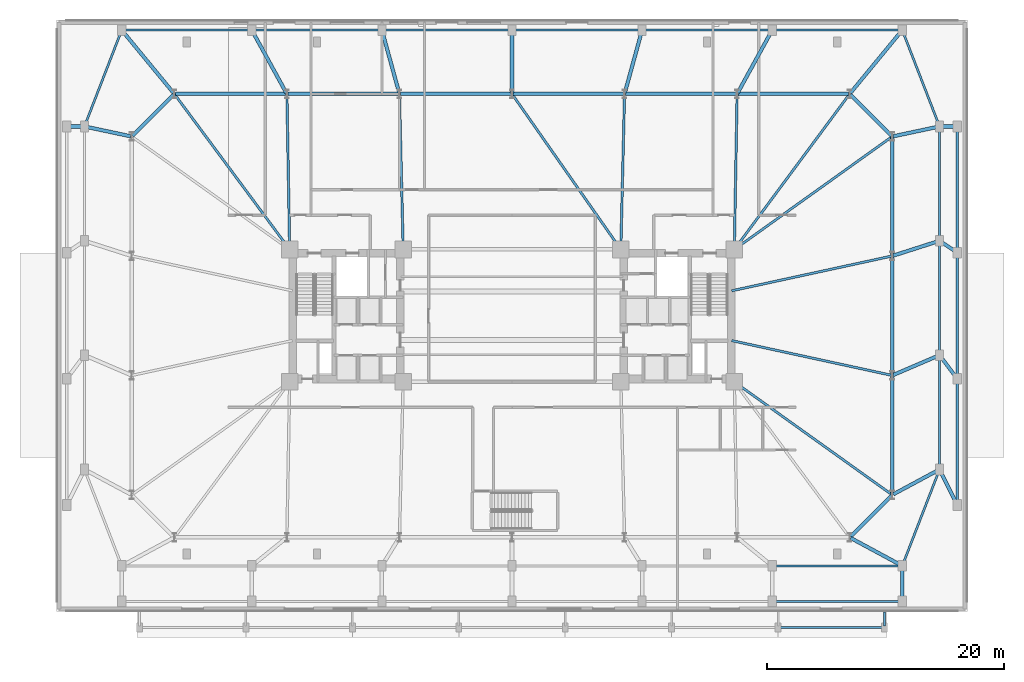
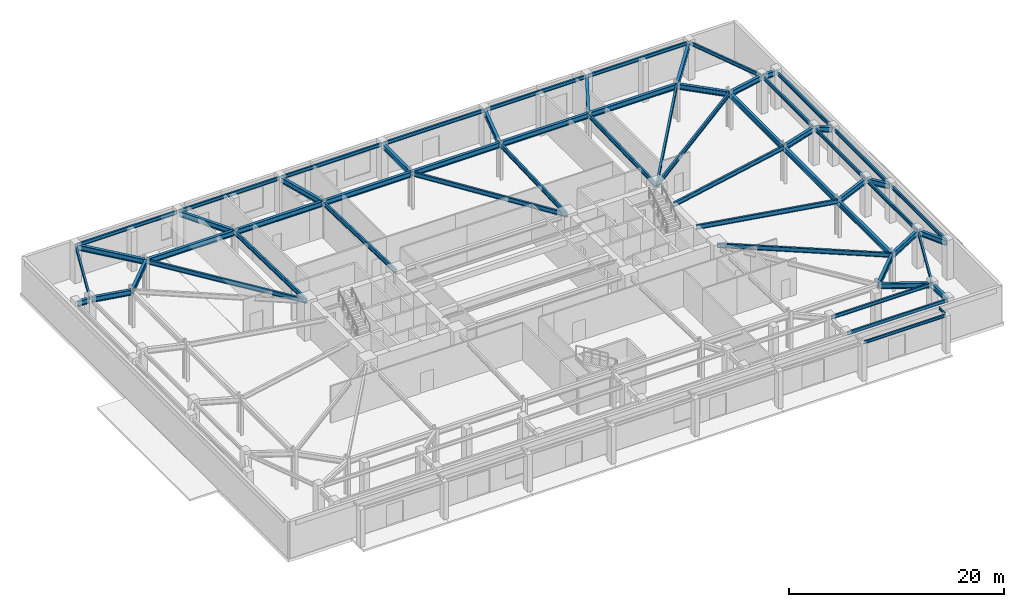
# One storey, part 6 of 18: 61 beams.
"""IFC4 building model written with IfcOpenShell, lengths in metres."""

from ifc_helpers import new_model, si_unit, direction, frame, origin, origin_2d, place, context, subcontext, project, spatial, i_section, extrude, material, material_profile, profile_set, type_object, element, save


model = new_model("IFC4")

# Units and contexts
model_context = context("Model", 3, precision=1e-05, world=origin(), true_north=direction((0.0, 1.0)))
body_context = subcontext(model_context, "Body", "Model", "MODEL_VIEW")
ifc_project = project(units=[si_unit("LENGTHUNIT", "METRE"), si_unit("AREAUNIT", "SQUARE_METRE"), si_unit("VOLUMEUNIT", "CUBIC_METRE"), si_unit("PLANEANGLEUNIT", "RADIAN"), si_unit("MASSUNIT", "GRAM", prefix="KILO")], contexts=[model_context])

# Site, building, storey
site_placement = place(None, origin())
site = spatial("IfcSite", under=ifc_project, at=site_placement, CompositionType="ELEMENT")
building_placement = place(site_placement, origin())
building = spatial("IfcBuilding", under=site, at=building_placement, Name="Qobustan Lattice House", CompositionType="ELEMENT")
storey_placement = place(building_placement, origin())
storey = spatial("IfcBuildingStorey", under=building, at=storey_placement, Name="L00", CompositionType="ELEMENT", Elevation=0.0)

# Beams
ifc_material_1 = material(Name="Steel S355", Category="steel")
ifc_material_profile_1 = material_profile(ifc_material_1, i_section(OverallWidth=0.199951171875, OverallDepth=0.5, WebThickness=0.01025390625, FlangeThickness=0.01611328125, FilletRadius=0.02099609375, at=origin_2d()), Name="IPE500")
ifc_profile_set_1 = profile_set([ifc_material_profile_1], Name="Steel S355")
beam_type_1 = type_object("IfcBeamType", Name="BM-FLG-IPE500", PredefinedType="USERDEFINED", material=ifc_profile_set_1)
beam_1_placement = place(storey_placement, frame((-28.53515625, 18.72998046875, 3.919921875), z_axis=(0.5955916815, -0.803287338956, 0.0), x_axis=(0.803287338956, 0.5955916815, 0.0)))
element("IfcBeam", 1, at=beam_1_placement, inside=storey, type_object=beam_type_1, Name="L00 primary floor girder RAD-N7W", ObjectType="GIRDER", PredefinedType="USERDEFINED", context=body_context, shape_type="SweptSolid", body=[
    extrude(i_section(OverallWidth=0.199951171875, OverallDepth=0.5, WebThickness=0.01025390625, FlangeThickness=0.01611328125, FilletRadius=0.02099609375, at=origin_2d()), origin(), (0.0, 0.0, 1.0), 16.3203125),
])
beam_2_placement = place(storey_placement, frame((-19.032958984375, 18.72509765625, 3.919921875), z_axis=(0.017757831607, -0.999842317276, 0.0), x_axis=(0.999842317276, 0.017757831607, 0.0)))
element("IfcBeam", 2, at=beam_2_placement, inside=storey, type_object=beam_type_1, Name="L00 primary floor girder RAD-N6", ObjectType="GIRDER", PredefinedType="USERDEFINED", context=body_context, shape_type="SweptSolid", body=[
    extrude(i_section(OverallWidth=0.199951171875, OverallDepth=0.5, WebThickness=0.01025390625, FlangeThickness=0.01611328125, FilletRadius=0.02099609375, at=origin_2d()), origin(), (0.0, 0.0, 1.0), 13.10205078125),
])
beam_3_placement = place(storey_placement, frame((-9.51611328125, 18.72509765625, 3.919921875), z_axis=(0.024071445657, -0.999710240772, 0.0), x_axis=(0.999710240772, 0.024071445657, 0.0)))
element("IfcBeam", 3, at=beam_3_placement, inside=storey, type_object=beam_type_1, Name="L00 primary floor girder RAD-N5", ObjectType="GIRDER", PredefinedType="USERDEFINED", context=body_context, shape_type="SweptSolid", body=[
    extrude(i_section(OverallWidth=0.199951171875, OverallDepth=0.5, WebThickness=0.01025390625, FlangeThickness=0.01611328125, FilletRadius=0.02099609375, at=origin_2d()), origin(), (0.0, 0.0, 1.0), 13.10400390625),
])
beam_4_placement = place(storey_placement, frame((0.014404296875, 18.7294921875, 3.919921875), z_axis=(0.57325954206, -0.819373844736, 0.0), x_axis=(0.819373844736, 0.57325954206, 0.0)))
element("IfcBeam", 4, at=beam_4_placement, inside=storey, type_object=beam_type_1, Name="L00 primary floor girder RAD-N4", ObjectType="GIRDER", PredefinedType="USERDEFINED", context=body_context, shape_type="SweptSolid", body=[
    extrude(i_section(OverallWidth=0.199951171875, OverallDepth=0.5, WebThickness=0.01025390625, FlangeThickness=0.01611328125, FilletRadius=0.02099609375, at=origin_2d()), origin(), (0.0, 0.0, 1.0), 15.998779296875),
])
beam_5_placement = place(storey_placement, frame((9.51611328125, 18.72509765625, 3.919921875), z_axis=(-0.024071445657, -0.999710240772, 0.0), x_axis=(0.999710240772, -0.024071445657, 0.0)))
element("IfcBeam", 5, at=beam_5_placement, inside=storey, type_object=beam_type_1, Name="L00 primary floor girder RAD-N3", ObjectType="GIRDER", PredefinedType="USERDEFINED", context=body_context, shape_type="SweptSolid", body=[
    extrude(i_section(OverallWidth=0.199951171875, OverallDepth=0.5, WebThickness=0.01025390625, FlangeThickness=0.01611328125, FilletRadius=0.02099609375, at=origin_2d()), origin(), (0.0, 0.0, 1.0), 13.10400390625),
])
beam_6_placement = place(storey_placement, frame((19.032958984375, 18.72509765625, 3.919921875), z_axis=(-0.017757831607, -0.999842317276, 0.0), x_axis=(0.999842317276, -0.017757831607, 0.0)))
element("IfcBeam", 6, at=beam_6_placement, inside=storey, type_object=beam_type_1, Name="L00 primary floor girder RAD-N2", ObjectType="GIRDER", PredefinedType="USERDEFINED", context=body_context, shape_type="SweptSolid", body=[
    extrude(i_section(OverallWidth=0.199951171875, OverallDepth=0.5, WebThickness=0.01025390625, FlangeThickness=0.01611328125, FilletRadius=0.02099609375, at=origin_2d()), origin(), (0.0, 0.0, 1.0), 13.10205078125),
])
beam_7_placement = place(storey_placement, frame((28.53515625, 18.72998046875, 3.919921875), z_axis=(-0.5955916815, -0.803287338956, 0.0), x_axis=(0.803287338956, -0.5955916815, 0.0)))
element("IfcBeam", 7, at=beam_7_placement, inside=storey, type_object=beam_type_1, Name="L00 primary floor girder RAD-N1E", ObjectType="GIRDER", PredefinedType="USERDEFINED", context=body_context, shape_type="SweptSolid", body=[
    extrude(i_section(OverallWidth=0.199951171875, OverallDepth=0.5, WebThickness=0.01025390625, FlangeThickness=0.01611328125, FilletRadius=0.02099609375, at=origin_2d()), origin(), (0.0, 0.0, 1.0), 16.3203125),
])
beam_8_placement = place(storey_placement, frame((32.129638671875, 15.135498046875, 3.919921875), z_axis=(-0.813318954893, -0.581818079481, 0.0), x_axis=(0.581818079481, -0.813318954893, 0.0)))
element("IfcBeam", 8, at=beam_8_placement, inside=storey, type_object=beam_type_1, Name="L00 primary floor girder RAD-E4", ObjectType="GIRDER", PredefinedType="USERDEFINED", context=body_context, shape_type="SweptSolid", body=[
    extrude(i_section(OverallWidth=0.199951171875, OverallDepth=0.5, WebThickness=0.01025390625, FlangeThickness=0.01611328125, FilletRadius=0.02099609375, at=origin_2d()), origin(), (0.0, 0.0, 1.0), 16.3642578125),
])
for number, where, z_axis, x_axis, name in (
    (9, (32.12548828125, 5.044677734375, 3.919921875), (-0.97727240275, -0.211987383643, 0.0), (0.211987383643, -0.97727240275, 0.0), "L00 primary floor girder RAD-E3"),
    (10, (32.12548828125, -5.044677734375, 3.919921875), (-0.97727240275, 0.211987383643, 0.0), (-0.211987383643, -0.97727240275, 0.0), "L00 primary floor girder RAD-E2"),
):
    element("IfcBeam", number, at=place(storey_placement, frame(where, z_axis=z_axis, x_axis=x_axis)), inside=storey, type_object=beam_type_1, Name=name, ObjectType="GIRDER", PredefinedType="USERDEFINED", context=body_context, shape_type="SweptSolid", body=[
        extrude(i_section(OverallWidth=0.199951171875, OverallDepth=0.5, WebThickness=0.01025390625, FlangeThickness=0.01611328125, FilletRadius=0.02099609375, at=origin_2d()), origin(), (0.0, 0.0, 1.0), 13.8662109375),
    ])
beam_9_placement = place(storey_placement, frame((32.129638671875, -15.135498046875, 3.919921875), z_axis=(-0.813318954893, 0.581818079481, 0.0), x_axis=(-0.581818079481, -0.813318954893, 0.0)))
element("IfcBeam", 11, at=beam_9_placement, inside=storey, type_object=beam_type_1, Name="L00 primary floor girder RAD-E1", ObjectType="GIRDER", PredefinedType="USERDEFINED", context=body_context, shape_type="SweptSolid", body=[
    extrude(i_section(OverallWidth=0.199951171875, OverallDepth=0.5, WebThickness=0.01025390625, FlangeThickness=0.01611328125, FilletRadius=0.02099609375, at=origin_2d()), origin(), (0.0, 0.0, 1.0), 16.3642578125),
])
ifc_material_2 = material(Name="Steel S355", Category="steel")
ifc_material_profile_2 = material_profile(ifc_material_2, i_section(OverallWidth=0.135009765625, OverallDepth=0.27001953125, WebThickness=0.006591796875, FlangeThickness=0.01025390625, FilletRadius=0.014892578125, at=origin_2d()), Name="IPE270")
ifc_profile_set_2 = profile_set([ifc_material_profile_2], Name="Steel S355")
beam_type_2 = type_object("IfcBeamType", Name="BM-JST-IPE270", PredefinedType="JOIST", material=ifc_profile_set_2)
beam_10_placement = place(storey_placement, frame((31.5, -26.25, 4.125), z_axis=(0.0, 1.0, 0.0), x_axis=(-1.0, 0.0, 0.0)))
element("IfcBeam", 12, at=beam_10_placement, inside=storey, type_object=beam_type_2, Name="L00 colonnade transverse beam 8", PredefinedType="JOIST", context=body_context, shape_type="SweptSolid", body=[
    extrude(i_section(OverallWidth=0.135009765625, OverallDepth=0.27001953125, WebThickness=0.006591796875, FlangeThickness=0.01025390625, FilletRadius=0.014892578125, at=origin_2d()), origin(), (0.0, 0.0, 1.0), 1.2099609375),
])
ifc_material_3 = material(Name="Steel S355", Category="steel")
ifc_material_profile_3 = material_profile(ifc_material_3, i_section(OverallWidth=0.300048828125, OverallDepth=0.60009765625, WebThickness=0.015380859375, FlangeThickness=0.030029296875, FilletRadius=0.027099609375, at=origin_2d()), Name="HEB600")
ifc_profile_set_3 = profile_set([ifc_material_profile_3], Name="Steel S355")
beam_type_3 = type_object("IfcBeamType", Name="BM-POD-HEB600", PredefinedType="USERDEFINED", material=ifc_profile_set_3)
beam_11_placement = place(storey_placement, frame((33.0, -24.030029296875, 3.8701171875), z_axis=(0.0, 1.0, 0.0), x_axis=(-1.0, 0.0, 0.0)))
element("IfcBeam", 13, at=beam_11_placement, inside=storey, type_object=beam_type_3, Name="L00 south terrace tie girder 7", ObjectType="GIRDER", PredefinedType="USERDEFINED", context=body_context, shape_type="SweptSolid", body=[
    extrude(i_section(OverallWidth=0.300048828125, OverallDepth=0.60009765625, WebThickness=0.015380859375, FlangeThickness=0.030029296875, FilletRadius=0.027099609375, at=origin_2d()), origin(), (0.0, 0.0, 1.0), 2.760009765625),
])
beam_12_placement = place(storey_placement, frame((37.59619140625, -15.892578125, 3.8701171875), z_axis=(-0.4472135955, 0.894427191, 0.0), x_axis=(-0.894427191, -0.4472135955, 0.0)))
element("IfcBeam", 14, at=beam_12_placement, inside=storey, type_object=beam_type_3, Name="L00 setback tie girder PEL1", ObjectType="GIRDER", PredefinedType="USERDEFINED", context=body_context, shape_type="SweptSolid", body=[
    extrude(i_section(OverallWidth=0.300048828125, OverallDepth=0.60009765625, WebThickness=0.015380859375, FlangeThickness=0.030029296875, FilletRadius=0.027099609375, at=origin_2d()), origin(), (0.0, 0.0, 1.0), 3.114013671875),
])
beam_13_placement = place(storey_placement, frame((37.577880859375, -5.2373046875, 3.8701171875), z_axis=(-0.599965431752, 0.800025925019, 0.0), x_axis=(-0.800025925019, -0.599965431752, 0.0)))
element("IfcBeam", 15, at=beam_13_placement, inside=storey, type_object=beam_type_3, Name="L00 setback tie girder PEL2", ObjectType="GIRDER", PredefinedType="USERDEFINED", context=body_context, shape_type="SweptSolid", body=[
    extrude(i_section(OverallWidth=0.300048828125, OverallDepth=0.60009765625, WebThickness=0.015380859375, FlangeThickness=0.030029296875, FilletRadius=0.027099609375, at=origin_2d()), origin(), (0.0, 0.0, 1.0), 2.260009765625),
])
beam_14_placement = place(storey_placement, frame((37.55029296875, 5.39990234375, 3.8701171875), z_axis=(-0.832074324237, 0.554664149684, 0.0), x_axis=(-0.554664149684, -0.832074324237, 0.0)))
element("IfcBeam", 16, at=beam_14_placement, inside=storey, type_object=beam_type_3, Name="L00 setback tie girder PEL3", ObjectType="GIRDER", PredefinedType="USERDEFINED", context=body_context, shape_type="SweptSolid", body=[
    extrude(i_section(OverallWidth=0.300048828125, OverallDepth=0.60009765625, WebThickness=0.015380859375, FlangeThickness=0.030029296875, FilletRadius=0.027099609375, at=origin_2d()), origin(), (0.0, 0.0, 1.0), 1.56298828125),
])
for number, where, z_axis, x_axis, name in (
    (17, (-37.530029296875, 16.0, 3.8701171875), (1.0, 0.0, 0.0), (0.0, 1.0, 0.0), "L00 setback tie girder PWL4"),
    (18, (37.530029296875, 16.0, 3.8701171875), (-1.0, 0.0, 0.0), (0.0, -1.0, 0.0), "L00 setback tie girder PEL4"),
):
    element("IfcBeam", number, at=place(storey_placement, frame(where, z_axis=z_axis, x_axis=x_axis)), inside=storey, type_object=beam_type_3, Name=name, ObjectType="GIRDER", PredefinedType="USERDEFINED", context=body_context, shape_type="SweptSolid", body=[
        extrude(i_section(OverallWidth=0.300048828125, OverallDepth=0.60009765625, WebThickness=0.015380859375, FlangeThickness=0.030029296875, FilletRadius=0.027099609375, at=origin_2d()), origin(), (0.0, 0.0, 1.0), 1.260009765625),
    ])
beam_15_placement = place(storey_placement, frame((28.62060546875, -18.67919921875, 3.8701171875), z_axis=(0.70713173775, 0.707081823743, 0.0), x_axis=(-0.707081823743, 0.70713173775, 0.0)))
element("IfcBeam", 19, at=beam_15_placement, inside=storey, type_object=beam_type_3, Name="L00 tower base ring girder S7-E1", ObjectType="GIRDER", PredefinedType="USERDEFINED", context=body_context, shape_type="SweptSolid", body=[
    extrude(i_section(OverallWidth=0.300048828125, OverallDepth=0.60009765625, WebThickness=0.015380859375, FlangeThickness=0.030029296875, FilletRadius=0.027099609375, at=origin_2d()), origin(), (0.0, 0.0, 1.0), 4.89111328125),
])
beam_16_placement = place(storey_placement, frame((32.14990234375, -15.050048828125, 3.8701171875), z_axis=(0.0, 1.0, 0.0), x_axis=(-1.0, 0.0, 0.0)))
element("IfcBeam", 20, at=beam_16_placement, inside=storey, type_object=beam_type_3, Name="L00 tower base ring girder E1-E2", ObjectType="GIRDER", PredefinedType="USERDEFINED", context=body_context, shape_type="SweptSolid", body=[
    extrude(i_section(OverallWidth=0.300048828125, OverallDepth=0.60009765625, WebThickness=0.015380859375, FlangeThickness=0.030029296875, FilletRadius=0.027099609375, at=origin_2d()), origin(), (0.0, 0.0, 1.0), 9.900146484375),
])
beam_17_placement = place(storey_placement, frame((32.14990234375, -4.949951171875, 3.8701171875), z_axis=(0.0, 1.0, 0.0), x_axis=(-1.0, 0.0, 0.0)))
element("IfcBeam", 21, at=beam_17_placement, inside=storey, type_object=beam_type_3, Name="L00 tower base ring girder E2-E3", ObjectType="GIRDER", PredefinedType="USERDEFINED", context=body_context, shape_type="SweptSolid", body=[
    extrude(i_section(OverallWidth=0.300048828125, OverallDepth=0.60009765625, WebThickness=0.015380859375, FlangeThickness=0.030029296875, FilletRadius=0.027099609375, at=origin_2d()), origin(), (0.0, 0.0, 1.0), 9.89990234375),
])
beam_18_placement = place(storey_placement, frame((32.14990234375, 5.14990234375, 3.8701171875), z_axis=(0.0, 1.0, 0.0), x_axis=(-1.0, 0.0, 0.0)))
element("IfcBeam", 22, at=beam_18_placement, inside=storey, type_object=beam_type_3, Name="L00 tower base ring girder E3-E4", ObjectType="GIRDER", PredefinedType="USERDEFINED", context=body_context, shape_type="SweptSolid", body=[
    extrude(i_section(OverallWidth=0.300048828125, OverallDepth=0.60009765625, WebThickness=0.015380859375, FlangeThickness=0.030029296875, FilletRadius=0.027099609375, at=origin_2d()), origin(), (0.0, 0.0, 1.0), 9.900146484375),
])
beam_19_placement = place(storey_placement, frame((32.079345703125, 15.220703125, 3.8701171875), z_axis=(-0.70713173775, 0.707081823743, 0.0), x_axis=(-0.707081823743, -0.70713173775, 0.0)))
element("IfcBeam", 23, at=beam_19_placement, inside=storey, type_object=beam_type_3, Name="L00 tower base ring girder E4-N1", ObjectType="GIRDER", PredefinedType="USERDEFINED", context=body_context, shape_type="SweptSolid", body=[
    extrude(i_section(OverallWidth=0.300048828125, OverallDepth=0.60009765625, WebThickness=0.015380859375, FlangeThickness=0.030029296875, FilletRadius=0.027099609375, at=origin_2d()), origin(), (0.0, 0.0, 1.0), 4.89111328125),
])
for number, where, z_axis, x_axis, name in (
    (24, (28.449951171875, 18.75, 3.8701171875), (-1.0, 0.0, 0.0), (0.0, -1.0, 0.0), "L00 tower base ring girder N1-N2"),
    (25, (18.933349609375, 18.75, 3.8701171875), (-1.0, 0.0, 0.0), (0.0, -1.0, 0.0), "L00 tower base ring girder N2-N3"),
    (26, (9.416748046875, 18.75, 3.8701171875), (-1.0, 0.0, 0.0), (0.0, -1.0, 0.0), "L00 tower base ring girder N3-N4"),
    (27, (-0.10009765625, 18.75, 3.8701171875), (-1.0, 0.0, 0.0), (0.0, -1.0, 0.0), "L00 tower base ring girder N4-N5"),
    (28, (-9.61669921875, 18.75, 3.8701171875), (-1.0, 0.0, 0.0), (0.0, -1.0, 0.0), "L00 tower base ring girder N5-N6"),
    (29, (-19.13330078125, 18.75, 3.8701171875), (-1.0, 0.0, 0.0), (0.0, -1.0, 0.0), "L00 tower base ring girder N6-N7"),
):
    element("IfcBeam", number, at=place(storey_placement, frame(where, z_axis=z_axis, x_axis=x_axis)), inside=storey, type_object=beam_type_3, Name=name, ObjectType="GIRDER", PredefinedType="USERDEFINED", context=body_context, shape_type="SweptSolid", body=[
        extrude(i_section(OverallWidth=0.300048828125, OverallDepth=0.60009765625, WebThickness=0.015380859375, FlangeThickness=0.030029296875, FilletRadius=0.027099609375, at=origin_2d()), origin(), (0.0, 0.0, 1.0), 9.316650390625),
    ])
beam_20_placement = place(storey_placement, frame((-28.62060546875, 18.67919921875, 3.8701171875), z_axis=(-0.70713173775, -0.707081823743, 0.0), x_axis=(0.707081823743, -0.70713173775, 0.0)))
element("IfcBeam", 30, at=beam_20_placement, inside=storey, type_object=beam_type_3, Name="L00 tower base ring girder N7-W1", ObjectType="GIRDER", PredefinedType="USERDEFINED", context=body_context, shape_type="SweptSolid", body=[
    extrude(i_section(OverallWidth=0.300048828125, OverallDepth=0.60009765625, WebThickness=0.015380859375, FlangeThickness=0.030029296875, FilletRadius=0.027099609375, at=origin_2d()), origin(), (0.0, 0.0, 1.0), 4.89111328125),
])
beam_21_placement = place(storey_placement, frame((-32.923583984375, 24.057373046875, 3.8701171875), z_axis=(0.635954703728, -0.771726385973, 0.0), x_axis=(0.771726385973, 0.635954703728, 0.0)))
element("IfcBeam", 31, at=beam_21_placement, inside=storey, type_object=beam_type_3, Name="L00 podium radial girder PN1", ObjectType="GIRDER", PredefinedType="USERDEFINED", context=body_context, shape_type="SweptSolid", body=[
    extrude(i_section(OverallWidth=0.300048828125, OverallDepth=0.60009765625, WebThickness=0.015380859375, FlangeThickness=0.030029296875, FilletRadius=0.027099609375, at=origin_2d()), origin(), (0.0, 0.0, 1.0), 6.77734375),
])
beam_22_placement = place(storey_placement, frame((-21.942138671875, 24.044921875, 3.8701171875), z_axis=(0.481478583255, -0.876457856298, 0.0), x_axis=(0.876457856298, 0.481478583255, 0.0)))
element("IfcBeam", 32, at=beam_22_placement, inside=storey, type_object=beam_type_3, Name="L00 podium radial girder PN2", ObjectType="GIRDER", PredefinedType="USERDEFINED", context=body_context, shape_type="SweptSolid", body=[
    extrude(i_section(OverallWidth=0.300048828125, OverallDepth=0.60009765625, WebThickness=0.015380859375, FlangeThickness=0.030029296875, FilletRadius=0.027099609375, at=origin_2d()), origin(), (0.0, 0.0, 1.0), 5.941162109375),
])
beam_23_placement = place(storey_placement, frame((-10.96826171875, 24.0341796875, 3.8701171875), z_axis=(0.264883295611, -0.964280477717, 0.0), x_axis=(0.964280477717, 0.264883295611, 0.0)))
element("IfcBeam", 33, at=beam_23_placement, inside=storey, type_object=beam_type_3, Name="L00 podium radial girder PN3", ObjectType="GIRDER", PredefinedType="USERDEFINED", context=body_context, shape_type="SweptSolid", body=[
    extrude(i_section(OverallWidth=0.300048828125, OverallDepth=0.60009765625, WebThickness=0.015380859375, FlangeThickness=0.030029296875, FilletRadius=0.027099609375, at=origin_2d()), origin(), (0.0, 0.0, 1.0), 5.3798828125),
])
beam_24_placement = place(storey_placement, frame((0.0, 24.030029296875, 3.8701171875), z_axis=(0.0, -1.0, 0.0), x_axis=(1.0, 0.0, 0.0)))
element("IfcBeam", 34, at=beam_24_placement, inside=storey, type_object=beam_type_3, Name="L00 podium radial girder PN4", ObjectType="GIRDER", PredefinedType="USERDEFINED", context=body_context, shape_type="SweptSolid", body=[
    extrude(i_section(OverallWidth=0.300048828125, OverallDepth=0.60009765625, WebThickness=0.015380859375, FlangeThickness=0.030029296875, FilletRadius=0.027099609375, at=origin_2d()), origin(), (0.0, 0.0, 1.0), 5.179931640625),
])
beam_25_placement = place(storey_placement, frame((10.96826171875, 24.0341796875, 3.8701171875), z_axis=(-0.264883295611, -0.964280477717, 0.0), x_axis=(0.964280477717, -0.264883295611, 0.0)))
element("IfcBeam", 35, at=beam_25_placement, inside=storey, type_object=beam_type_3, Name="L00 podium radial girder PN5", ObjectType="GIRDER", PredefinedType="USERDEFINED", context=body_context, shape_type="SweptSolid", body=[
    extrude(i_section(OverallWidth=0.300048828125, OverallDepth=0.60009765625, WebThickness=0.015380859375, FlangeThickness=0.030029296875, FilletRadius=0.027099609375, at=origin_2d()), origin(), (0.0, 0.0, 1.0), 5.3798828125),
])
beam_26_placement = place(storey_placement, frame((21.942138671875, 24.044921875, 3.8701171875), z_axis=(-0.481478583255, -0.876457856298, 0.0), x_axis=(0.876457856298, -0.481478583255, 0.0)))
element("IfcBeam", 36, at=beam_26_placement, inside=storey, type_object=beam_type_3, Name="L00 podium radial girder PN6", ObjectType="GIRDER", PredefinedType="USERDEFINED", context=body_context, shape_type="SweptSolid", body=[
    extrude(i_section(OverallWidth=0.300048828125, OverallDepth=0.60009765625, WebThickness=0.015380859375, FlangeThickness=0.030029296875, FilletRadius=0.027099609375, at=origin_2d()), origin(), (0.0, 0.0, 1.0), 5.941162109375),
])
beam_27_placement = place(storey_placement, frame((32.894287109375, -21.093017578125, 3.8701171875), z_axis=(-0.88016615165, 0.474665719732, 0.0), x_axis=(-0.474665719732, -0.88016615165, 0.0)))
element("IfcBeam", 37, at=beam_27_placement, inside=storey, type_object=beam_type_3, Name="L00 podium radial girder PS7", ObjectType="GIRDER", PredefinedType="USERDEFINED", context=body_context, shape_type="SweptSolid", body=[
    extrude(i_section(OverallWidth=0.300048828125, OverallDepth=0.60009765625, WebThickness=0.015380859375, FlangeThickness=0.030029296875, FilletRadius=0.027099609375, at=origin_2d()), origin(), (0.0, 0.0, 1.0), 4.8359375),
])
beam_28_placement = place(storey_placement, frame((32.923583984375, 24.057373046875, 3.8701171875), z_axis=(-0.635954703728, -0.771726385973, 0.0), x_axis=(0.771726385973, -0.635954703728, 0.0)))
element("IfcBeam", 38, at=beam_28_placement, inside=storey, type_object=beam_type_3, Name="L00 podium radial girder PN7", ObjectType="GIRDER", PredefinedType="USERDEFINED", context=body_context, shape_type="SweptSolid", body=[
    extrude(i_section(OverallWidth=0.300048828125, OverallDepth=0.60009765625, WebThickness=0.015380859375, FlangeThickness=0.030029296875, FilletRadius=0.027099609375, at=origin_2d()), origin(), (0.0, 0.0, 1.0), 6.77734375),
])
beam_29_placement = place(storey_placement, frame((36.044189453125, -13.056884765625, 3.8701171875), z_axis=(-0.880815561441, -0.473459551307, 0.0), x_axis=(0.473459551307, -0.880815561441, 0.0)))
element("IfcBeam", 39, at=beam_29_placement, inside=storey, type_object=beam_type_3, Name="L00 podium radial girder PE1", ObjectType="GIRDER", PredefinedType="USERDEFINED", context=body_context, shape_type="SweptSolid", body=[
    extrude(i_section(OverallWidth=0.300048828125, OverallDepth=0.60009765625, WebThickness=0.015380859375, FlangeThickness=0.030029296875, FilletRadius=0.027099609375, at=origin_2d()), origin(), (0.0, 0.0, 1.0), 4.3212890625),
])
beam_30_placement = place(storey_placement, frame((36.039794921875, -3.380615234375, 3.8701171875), z_axis=(-0.918949362679, -0.394375542893, 0.0), x_axis=(0.394375542893, -0.918949362679, 0.0)))
element("IfcBeam", 40, at=beam_30_placement, inside=storey, type_object=beam_type_3, Name="L00 podium radial girder PE2", ObjectType="GIRDER", PredefinedType="USERDEFINED", context=body_context, shape_type="SweptSolid", body=[
    extrude(i_section(OverallWidth=0.300048828125, OverallDepth=0.60009765625, WebThickness=0.015380859375, FlangeThickness=0.030029296875, FilletRadius=0.027099609375, at=origin_2d()), origin(), (0.0, 0.0, 1.0), 4.1328125),
])
beam_31_placement = place(storey_placement, frame((36.03564453125, 6.296630859375, 3.8701171875), z_axis=(-0.952198151545, -0.305481063561, 0.0), x_axis=(0.305481063561, -0.952198151545, 0.0)))
element("IfcBeam", 41, at=beam_31_placement, inside=storey, type_object=beam_type_3, Name="L00 podium radial girder PE3", ObjectType="GIRDER", PredefinedType="USERDEFINED", context=body_context, shape_type="SweptSolid", body=[
    extrude(i_section(OverallWidth=0.300048828125, OverallDepth=0.60009765625, WebThickness=0.015380859375, FlangeThickness=0.030029296875, FilletRadius=0.027099609375, at=origin_2d()), origin(), (0.0, 0.0, 1.0), 3.980712890625),
])
for number, where, z_axis, x_axis, name in (
    (42, (-36.03271484375, 15.97509765625, 3.8701171875), (0.978163821655, -0.207835362738, 0.0), (0.207835362738, 0.978163821655, 0.0), "L00 podium radial girder PW4"),
    (43, (36.03271484375, 15.97509765625, 3.8701171875), (-0.978163821655, -0.207835362738, 0.0), (0.207835362738, -0.978163821655, 0.0), "L00 podium radial girder PE4"),
):
    element("IfcBeam", number, at=place(storey_placement, frame(where, z_axis=z_axis, x_axis=x_axis)), inside=storey, type_object=beam_type_3, Name=name, ObjectType="GIRDER", PredefinedType="USERDEFINED", context=body_context, shape_type="SweptSolid", body=[
        extrude(i_section(OverallWidth=0.300048828125, OverallDepth=0.60009765625, WebThickness=0.015380859375, FlangeThickness=0.030029296875, FilletRadius=0.027099609375, at=origin_2d()), origin(), (0.0, 0.0, 1.0), 3.869384765625),
    ])
ifc_material_4 = material(Name="Steel S355", Category="steel")
ifc_material_profile_4 = material_profile(ifc_material_4, i_section(OverallWidth=0.159912109375, OverallDepth=0.330078125, WebThickness=0.007568359375, FlangeThickness=0.011474609375, FilletRadius=0.01806640625, at=origin_2d()), Name="IPE330")
ifc_profile_set_4 = profile_set([ifc_material_profile_4], Name="Steel S355")
beam_type_4 = type_object("IfcBeamType", Name="BM-SPD-IPE330", PredefinedType="SPANDREL", material=ifc_profile_set_4)
beam_32_placement = place(storey_placement, frame((22.6201171875, -26.35009765625, 4.094970703125), z_axis=(1.0, 0.0, 0.0), x_axis=(0.0, 1.0, 0.0)))
element("IfcBeam", 44, at=beam_32_placement, inside=storey, type_object=beam_type_4, Name="L00 colonnade edge beam 7", PredefinedType="SPANDREL", context=body_context, shape_type="SweptSolid", body=[
    extrude(i_section(OverallWidth=0.159912109375, OverallDepth=0.330078125, WebThickness=0.007568359375, FlangeThickness=0.011474609375, FilletRadius=0.01806640625, at=origin_2d()), origin(), (0.0, 0.0, 1.0), 8.759765625),
])
ifc_material_5 = material(Name="Steel S355", Category="steel")
ifc_material_profile_5 = material_profile(ifc_material_5, i_section(OverallWidth=0.179931640625, OverallDepth=0.39990234375, WebThickness=0.008544921875, FlangeThickness=0.013427734375, FilletRadius=0.02099609375, at=origin_2d()), Name="IPE400")
ifc_profile_set_5 = profile_set([ifc_material_profile_5], Name="Steel S355")
beam_type_5 = type_object("IfcBeamType", Name="BM-SPD-IPE400", PredefinedType="SPANDREL", material=ifc_profile_set_5)
for number, where, z_axis, x_axis, name in (
    (45, (22.1201171875, -21.14990234375, 3.969970703125), (1.0, 0.0, 0.0), (0.0, 1.0, 0.0), "L00 podium spandrel PS6-PS7"),
    (46, (-32.8798828125, 24.14990234375, 3.969970703125), (1.0, 0.0, 0.0), (0.0, 1.0, 0.0), "L00 podium spandrel PN1-PN2"),
    (47, (-21.8798828125, 24.14990234375, 3.969970703125), (1.0, 0.0, 0.0), (0.0, 1.0, 0.0), "L00 podium spandrel PN2-PN3"),
    (48, (-10.8798828125, 24.14990234375, 3.969970703125), (1.0, 0.0, 0.0), (0.0, 1.0, 0.0), "L00 podium spandrel PN3-PN4"),
    (49, (0.1201171875, 24.14990234375, 3.969970703125), (1.0, 0.0, 0.0), (0.0, 1.0, 0.0), "L00 podium spandrel PN4-PN5"),
    (50, (11.1201171875, 24.14990234375, 3.969970703125), (1.0, 0.0, 0.0), (0.0, 1.0, 0.0), "L00 podium spandrel PN5-PN6"),
    (51, (22.1201171875, 24.14990234375, 3.969970703125), (1.0, 0.0, 0.0), (0.0, 1.0, 0.0), "L00 podium spandrel PN6-PN7"),
):
    element("IfcBeam", number, at=place(storey_placement, frame(where, z_axis=z_axis, x_axis=x_axis)), inside=storey, type_object=beam_type_5, Name=name, PredefinedType="SPANDREL", context=body_context, shape_type="SweptSolid", body=[
        extrude(i_section(OverallWidth=0.179931640625, OverallDepth=0.39990234375, WebThickness=0.008544921875, FlangeThickness=0.013427734375, FilletRadius=0.02099609375, at=origin_2d()), origin(), (0.0, 0.0, 1.0), 10.759765625),
    ])
beam_33_placement = place(storey_placement, frame((36.14990234375, -12.8798828125, 3.969970703125), z_axis=(0.0, 1.0, 0.0), x_axis=(-1.0, 0.0, 0.0)))
element("IfcBeam", 52, at=beam_33_placement, inside=storey, type_object=beam_type_5, Name="L00 podium spandrel PE1-PE2", PredefinedType="SPANDREL", context=body_context, shape_type="SweptSolid", body=[
    extrude(i_section(OverallWidth=0.179931640625, OverallDepth=0.39990234375, WebThickness=0.008544921875, FlangeThickness=0.013427734375, FilletRadius=0.02099609375, at=origin_2d()), origin(), (0.0, 0.0, 1.0), 9.426513671875),
])
for number, where, z_axis, x_axis, name in (
    (53, (36.14990234375, -3.21337890625, 3.969970703125), (0.0, 1.0, 0.0), (-1.0, 0.0, 0.0), "L00 podium spandrel PE2-PE3"),
    (54, (36.14990234375, 6.453369140625, 3.969970703125), (0.0, 1.0, 0.0), (-1.0, 0.0, 0.0), "L00 podium spandrel PE3-PE4"),
):
    element("IfcBeam", number, at=place(storey_placement, frame(where, z_axis=z_axis, x_axis=x_axis)), inside=storey, type_object=beam_type_5, Name=name, PredefinedType="SPANDREL", context=body_context, shape_type="SweptSolid", body=[
        extrude(i_section(OverallWidth=0.179931640625, OverallDepth=0.39990234375, WebThickness=0.008544921875, FlangeThickness=0.013427734375, FilletRadius=0.02099609375, at=origin_2d()), origin(), (0.0, 0.0, 1.0), 9.4267578125),
    ])
for number, where, z_axis, x_axis, name in (
    (55, (-36.106689453125, 16.112060546875, 3.969970703125), (0.360516886299, 0.932752686779, 0.0), (-0.932752686779, 0.360516886299, 0.0), "L00 podium corner tie PW4-PN1"),
    (56, (33.043212890625, 24.0380859375, 3.969970703125), (0.360516886299, -0.932752686779, 0.0), (0.932752686779, 0.360516886299, 0.0), "L00 podium corner tie PN7-PE4"),
):
    element("IfcBeam", number, at=place(storey_placement, frame(where, z_axis=z_axis, x_axis=x_axis)), inside=storey, type_object=beam_type_5, Name=name, PredefinedType="SPANDREL", context=body_context, shape_type="SweptSolid", body=[
        extrude(i_section(OverallWidth=0.179931640625, OverallDepth=0.39990234375, WebThickness=0.008544921875, FlangeThickness=0.013427734375, FilletRadius=0.02099609375, at=origin_2d()), origin(), (0.0, 0.0, 1.0), 8.49755859375),
    ])
beam_34_placement = place(storey_placement, frame((36.106689453125, -13.11181640625, 3.969970703125), z_axis=(-0.360507225068, -0.93275642087, 0.0), x_axis=(0.93275642087, -0.360507225068, 0.0)))
element("IfcBeam", 57, at=beam_34_placement, inside=storey, type_object=beam_type_5, Name="L00 podium corner tie PE1-PS7", PredefinedType="SPANDREL", context=body_context, shape_type="SweptSolid", body=[
    extrude(i_section(OverallWidth=0.179931640625, OverallDepth=0.39990234375, WebThickness=0.008544921875, FlangeThickness=0.013427734375, FilletRadius=0.02099609375, at=origin_2d()), origin(), (0.0, 0.0, 1.0), 8.497802734375),
])
beam_35_placement = place(storey_placement, frame((22.1201171875, -24.14990234375, 3.969970703125), z_axis=(1.0, 0.0, 0.0), x_axis=(0.0, 1.0, 0.0)))
element("IfcBeam", 58, at=beam_35_placement, inside=storey, type_object=beam_type_5, Name="L00 lower podium spandrel PSL6-PSL7", PredefinedType="SPANDREL", context=body_context, shape_type="SweptSolid", body=[
    extrude(i_section(OverallWidth=0.179931640625, OverallDepth=0.39990234375, WebThickness=0.008544921875, FlangeThickness=0.013427734375, FilletRadius=0.02099609375, at=origin_2d()), origin(), (0.0, 0.0, 1.0), 10.759765625),
])
beam_36_placement = place(storey_placement, frame((37.64990234375, -15.8798828125, 3.969970703125), z_axis=(0.0, 1.0, 0.0), x_axis=(-1.0, 0.0, 0.0)))
element("IfcBeam", 59, at=beam_36_placement, inside=storey, type_object=beam_type_5, Name="L00 lower podium spandrel PEL1-PEL2", PredefinedType="SPANDREL", context=body_context, shape_type="SweptSolid", body=[
    extrude(i_section(OverallWidth=0.179931640625, OverallDepth=0.39990234375, WebThickness=0.008544921875, FlangeThickness=0.013427734375, FilletRadius=0.02099609375, at=origin_2d()), origin(), (0.0, 0.0, 1.0), 10.426513671875),
])
for number, where, z_axis, x_axis, name in (
    (60, (37.64990234375, -5.21337890625, 3.969970703125), (0.0, 1.0, 0.0), (-1.0, 0.0, 0.0), "L00 lower podium spandrel PEL2-PEL3"),
    (61, (37.64990234375, 5.453369140625, 3.969970703125), (0.0, 1.0, 0.0), (-1.0, 0.0, 0.0), "L00 lower podium spandrel PEL3-PEL4"),
):
    element("IfcBeam", number, at=place(storey_placement, frame(where, z_axis=z_axis, x_axis=x_axis)), inside=storey, type_object=beam_type_5, Name=name, PredefinedType="SPANDREL", context=body_context, shape_type="SweptSolid", body=[
        extrude(i_section(OverallWidth=0.179931640625, OverallDepth=0.39990234375, WebThickness=0.008544921875, FlangeThickness=0.013427734375, FilletRadius=0.02099609375, at=origin_2d()), origin(), (0.0, 0.0, 1.0), 10.4267578125),
    ])

save(model, "model.ifc")
